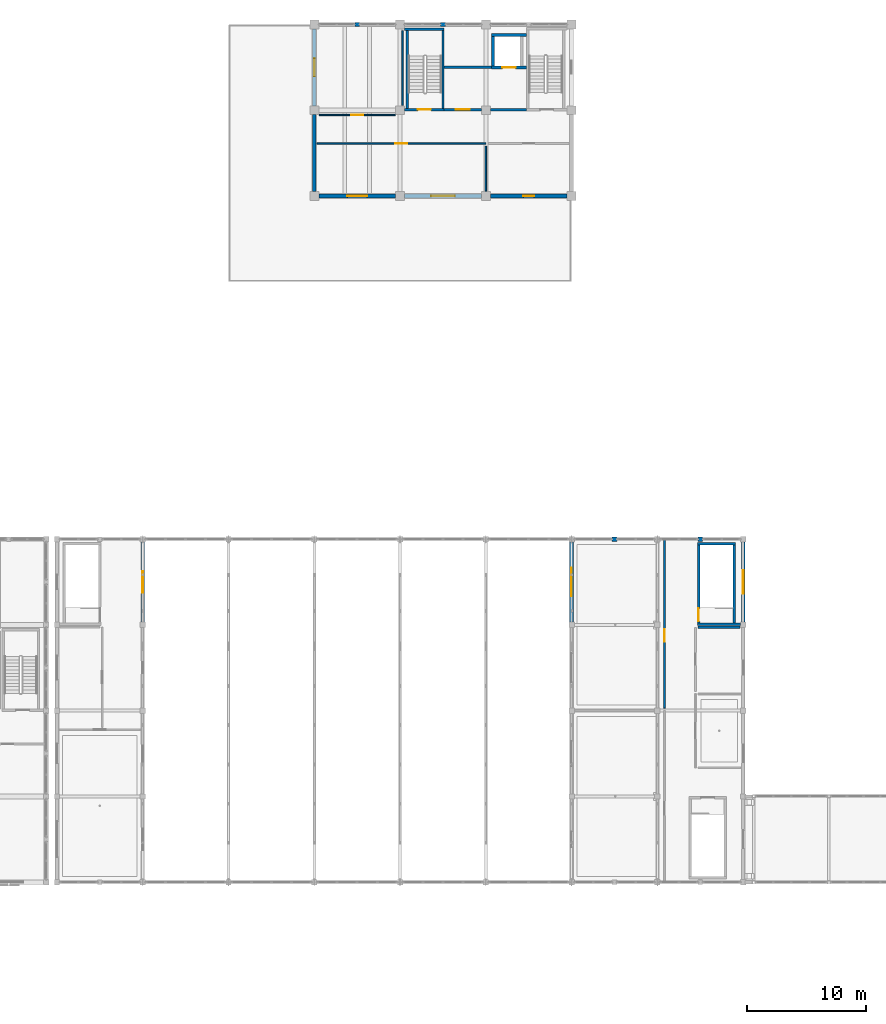
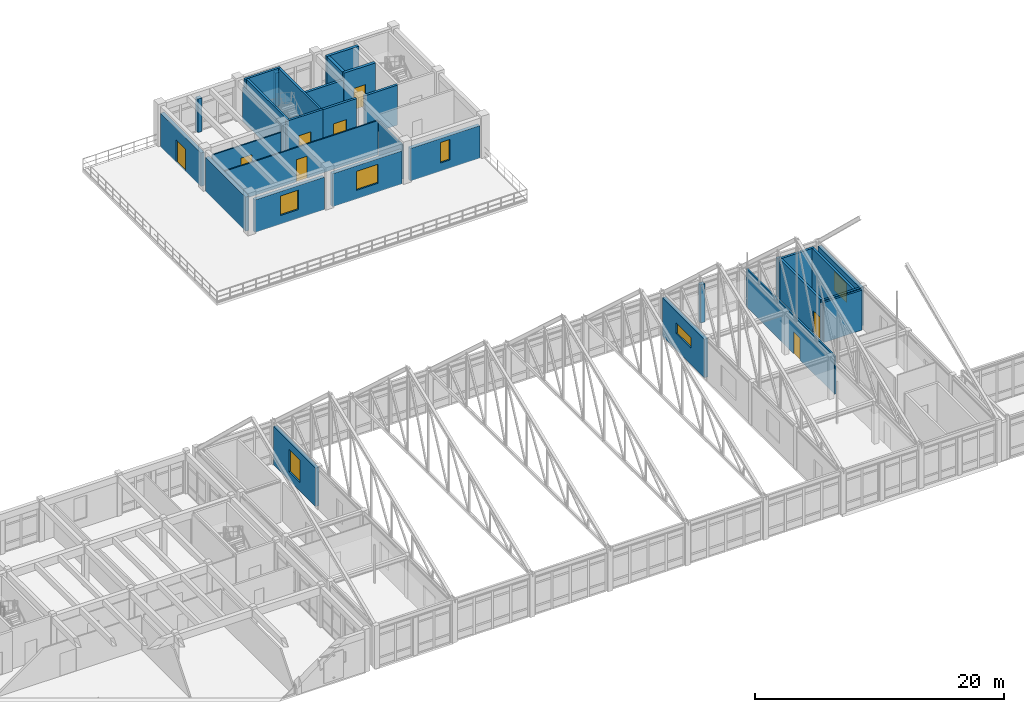
# One storey, part 115 of 136: 32 walls, 8 doors, 6 windows, 14 openings.
"""IFC4 building model written with IfcOpenShell, lengths in metres."""

from ifc_helpers import new_model, si_unit, direction, frame, frame_2d, origin, place, context, subcontext, project, spatial, rectangle, extrude, material, layer, layer_set, type_object, element, fill, save


model = new_model("IFC4")

# Units and contexts
model_context = context("Model", 3, precision=1e-05, world=origin(), true_north=direction((0.0, 1.0)))
body_context = subcontext(model_context, "Body", "Model", "MODEL_VIEW")
ifc_project = project(units=[si_unit("LENGTHUNIT", "METRE"), si_unit("AREAUNIT", "SQUARE_METRE"), si_unit("VOLUMEUNIT", "CUBIC_METRE"), si_unit("PLANEANGLEUNIT", "RADIAN"), si_unit("MASSUNIT", "GRAM", prefix="KILO")], contexts=[model_context])

# Site, building, storey
site_placement = place(None, origin())
site = spatial("IfcSite", under=ifc_project, at=site_placement, CompositionType="ELEMENT")
building_placement = place(site_placement, origin())
building = spatial("IfcBuilding", under=site, at=building_placement, Name="Koriwan Promenade Central Fire Station", CompositionType="ELEMENT")
storey_placement = place(building_placement, frame((0.0, 0.0, 5.39990234375)))
storey = spatial("IfcBuildingStorey", under=building, at=storey_placement, Name="L01", CompositionType="ELEMENT", Elevation=5.39990234375)

# Walls
ifc_material_1 = material(Name="Natural sillar sandstone ashlar", Category="masonry")
ifc_layer_1 = layer(ifc_material_1, 0.360107421875, Name="Natural sillar sandstone ashlar")
ifc_layer_set_1 = layer_set([ifc_layer_1], Name="Natural sillar sandstone ashlar")
wall_type_1 = type_object("IfcWallType", Name="ExtWall_SillarBase_360", PredefinedType="SOLIDWALL", material=ifc_layer_set_1)
for number, where, z_axis, x_axis, name in (
    (1, (104.199951171875, 72.0, 0.0), (0.0, 0.0, 1.0), (1.0, 0.0, 0.0), "V1 L01 sillar facade mullion pier 39"),
    (2, (111.39990234375, 72.0, 0.0), (0.0, 0.0, 1.0), (1.0, 0.0, 0.0), "V1 L01 sillar facade mullion pier 40"),
):
    element("IfcWall", number, at=place(storey_placement, frame(where, z_axis=z_axis, x_axis=x_axis)), inside=storey, type_object=wall_type_1, Name=name, PredefinedType="SOLIDWALL", context=body_context, shape_type="SweptSolid", body=[
        extrude(rectangle(XDim=0.400146484375, YDim=0.360107421875, at=frame_2d((0.2001953125, 0.0))), origin(), (0.0, 0.0, 1.0), 3.72119140625),
    ])
for number, where, z_axis, x_axis, name in (
    (3, (90.199951171875, 115.199951171875, 0.0), (0.0, 0.0, 1.0), (-1.0, 0.0, 0.0), "V2 L01 sillar facade mullion pier 64"),
    (4, (83.0, 115.199951171875, 0.0), (0.0, 0.0, 1.0), (-1.0, 0.0, 0.0), "V2 L01 sillar facade mullion pier 65"),
):
    element("IfcWall", number, at=place(storey_placement, frame(where, z_axis=z_axis, x_axis=x_axis)), inside=storey, type_object=wall_type_1, Name=name, PredefinedType="SOLIDWALL", context=body_context, shape_type="SweptSolid", body=[
        extrude(rectangle(XDim=0.39990234375, YDim=0.360107421875, at=frame_2d((0.199951171875, 0.0))), origin(), (0.0, 0.0, 1.0), 3.2900390625),
    ])

# Wall, opening, window
ifc_material_2 = material(Name="Precast concrete C40/50", Category="concrete")
ifc_layer_2 = layer(ifc_material_2, 0.320068359375, Name="Precast concrete C40/50")
ifc_layer_set_2 = layer_set([ifc_layer_2], Name="Precast concrete C40/50")
wall_type_2 = type_object("IfcWallType", Name="ExtWall_Terracotta_320", PredefinedType="ELEMENTEDWALL", material=ifc_layer_set_2)
wall_1_placement = place(storey_placement, frame((64.800048828125, 71.77490234375, 0.0), z_axis=(0.0, 0.0, 1.0), x_axis=(0.0, -1.0, 0.0)))
wall_1 = element("IfcWall", 5, at=wall_1_placement, inside=storey, type_object=wall_type_2, Name="V1 L01 exterior wall 30", PredefinedType="ELEMENTEDWALL", context=body_context, shape_type="SweptSolid", body=[
    extrude(rectangle(XDim=6.75, YDim=0.320068359375, at=frame_2d((3.375, 0.0))), origin(), (0.0, 0.0, 1.0), 3.773193359375),
])
opening_1_placement = place(wall_1_placement, frame((2.47509765625, 0.0, 0.85009765625)))
opening_1 = element("IfcOpeningElement", 6, at=opening_1_placement, cuts=wall_1, Name="Opening W-03", PredefinedType="OPENING", context=body_context, shape_type="SweptSolid", body=[
    extrude(rectangle(XDim=1.800048828125, YDim=2.199951171875, at=frame_2d((0.89990234375, 1.10009765625))), frame((0.0, 0.171875, 0.0), z_axis=(0.0, -1.0, 0.0), x_axis=(1.0, 0.0, 0.0)), (0.0, 0.0, 1.0), 0.343994140625),
])
ifc_material_3 = material(Name="Solar-control low-E laminated double glazing", Category="glass")
window_type_1 = type_object("IfcWindowType", Name="Win_Jharokha_1800x2200", PartitioningType="SINGLE_PANEL", PredefinedType="WINDOW", material=ifc_material_3)
window_1_placement = place(opening_1_placement, origin())
window_1 = element("IfcWindow", 7, at=window_1_placement, inside=storey, type_object=window_type_1, Name="V1 L01 window 0011", OverallHeight=2.199951171875, OverallWidth=1.800048828125, PartitioningType="SINGLE_PANEL", PredefinedType="WINDOW", context=body_context, shape_type="SweptSolid", body=[
    extrude(rectangle(XDim=1.800048828125, YDim=2.199951171875, at=frame_2d((0.89990234375, 1.10009765625))), frame((0.0, 0.030029296875, 0.0), z_axis=(0.0, -1.0, 0.0), x_axis=(1.0, 0.0, 0.0)), (0.0, 0.0, 1.0), 0.06005859375),
])
fill(opening_1, window_1)

wall_2_placement = place(storey_placement, frame((100.800048828125, 65.02490234375, 0.0), z_axis=(0.0, 0.0, 1.0), x_axis=(0.0, 1.0, 0.0)))
wall_2 = element("IfcWall", 8, at=wall_2_placement, inside=storey, type_object=wall_type_2, Name="V1 L01 exterior wall 38", PredefinedType="ELEMENTEDWALL", context=body_context, shape_type="SweptSolid", body=[
    extrude(rectangle(XDim=6.75, YDim=0.320068359375, at=frame_2d((3.375, 0.0))), origin(), (0.0, 0.0, 1.0), 3.773193359375),
])
opening_2_placement = place(wall_2_placement, frame((2.175048828125, 0.0, 1.60009765625)))
opening_2 = element("IfcOpeningElement", 9, at=opening_2_placement, cuts=wall_2, Name="Opening W-13", PredefinedType="OPENING", context=body_context, shape_type="SweptSolid", body=[
    extrude(rectangle(XDim=2.39990234375, YDim=1.050048828125, at=frame_2d((1.199951171875, 0.52490234375))), frame((0.0, 0.171875, 0.0), z_axis=(0.0, -1.0, 0.0), x_axis=(1.0, 0.0, 0.0)), (0.0, 0.0, 1.0), 0.343994140625),
])
window_type_2 = type_object("IfcWindowType", Name="Win_HighRibbon_2400x1050", PartitioningType="SINGLE_PANEL", PredefinedType="WINDOW", material=ifc_material_3)
window_2_placement = place(opening_2_placement, origin())
window_2 = element("IfcWindow", 10, at=window_2_placement, inside=storey, type_object=window_type_2, Name="V1 L01 window 0018", OverallHeight=1.050048828125, OverallWidth=2.39990234375, PartitioningType="SINGLE_PANEL", PredefinedType="WINDOW", context=body_context, shape_type="SweptSolid", body=[
    extrude(rectangle(XDim=2.39990234375, YDim=1.050048828125, at=frame_2d((1.199951171875, 0.52490234375))), frame((0.0, 0.030029296875, 0.0), z_axis=(0.0, -1.0, 0.0), x_axis=(1.0, 0.0, 0.0)), (0.0, 0.0, 1.0), 0.06005859375),
])
fill(opening_2, window_2)

wall_3_placement = place(storey_placement, frame((115.199951171875, 71.77490234375, 0.0), z_axis=(0.0, 0.0, 1.0), x_axis=(0.0, -1.0, 0.0)))
wall_3 = element("IfcWall", 11, at=wall_3_placement, inside=storey, type_object=wall_type_2, Name="V1 L01 exterior wall 41", PredefinedType="ELEMENTEDWALL", context=body_context, shape_type="SweptSolid", body=[
    extrude(rectangle(XDim=6.75, YDim=0.320068359375, at=frame_2d((3.375, 0.0))), origin(), (0.0, 0.0, 1.0), 3.773193359375),
])
opening_3_placement = place(wall_3_placement, frame((2.375, 0.0, 0.85009765625)))
opening_3 = element("IfcOpeningElement", 12, at=opening_3_placement, cuts=wall_3, Name="Opening W-16", PredefinedType="OPENING", context=body_context, shape_type="SweptSolid", body=[
    extrude(rectangle(XDim=2.0, YDim=1.85009765625, at=frame_2d((1.0, 0.925048828125))), frame((0.0, 0.171875, 0.0), z_axis=(0.0, -1.0, 0.0), x_axis=(1.0, 0.0, 0.0)), (0.0, 0.0, 1.0), 0.343994140625),
])
window_type_3 = type_object("IfcWindowType", Name="Win_Studio_2000x1850", PartitioningType="SINGLE_PANEL", PredefinedType="WINDOW", material=ifc_material_3)
window_3_placement = place(opening_3_placement, origin())
window_3 = element("IfcWindow", 13, at=window_3_placement, inside=storey, type_object=window_type_3, Name="V1 L01 window 0019", OverallHeight=1.85009765625, OverallWidth=2.0, PartitioningType="SINGLE_PANEL", PredefinedType="WINDOW", context=body_context, shape_type="SweptSolid", body=[
    extrude(rectangle(XDim=2.0, YDim=1.85009765625, at=frame_2d((1.0, 0.925048828125))), frame((0.0, 0.030029296875, 0.0), z_axis=(0.0, -1.0, 0.0), x_axis=(1.0, 0.0, 0.0)), (0.0, 0.0, 1.0), 0.06005859375),
])
fill(opening_3, window_3)

# Wall, opening, door
wall_4_placement = place(storey_placement, frame((79.199951171875, 114.824951171875, 0.0), z_axis=(0.0, 0.0, 1.0), x_axis=(0.0, -1.0, 0.0)))
wall_4 = element("IfcWall", 14, at=wall_4_placement, inside=storey, type_object=wall_type_2, Name="V2 L01 exterior wall 66", PredefinedType="ELEMENTEDWALL", context=body_context, shape_type="SweptSolid", body=[
    extrude(rectangle(XDim=6.449951171875, YDim=0.320068359375, at=frame_2d((3.22509765625, 0.0))), origin(), (0.0, 0.0, 1.0), 3.2900390625),
])
opening_4_placement = place(wall_4_placement, frame((2.47509765625, 0.0, 0.0)))
opening_4 = element("IfcOpeningElement", 15, at=opening_4_placement, cuts=wall_4, Name="Opening TD-017", PredefinedType="OPENING", context=body_context, shape_type="SweptSolid", body=[
    extrude(rectangle(XDim=1.5, YDim=2.199951171875, at=frame_2d((0.75, 1.10009765625))), frame((0.0, 0.171875, 0.0), z_axis=(0.0, -1.0, 0.0), x_axis=(1.0, 0.0, 0.0)), (0.0, 0.0, 1.0), 0.343994140625),
])
ifc_material_4 = material(Name="Aluminium EN AW-6063-T6 and laminated safety glass", Category="aluminium")
door_type_1 = type_object("IfcDoorType", Name="TerraceDoor_1500x2200", OperationType="DOUBLE_SWING_LEFT", PredefinedType="DOOR", material=ifc_material_4)
door_1_placement = place(opening_4_placement, frame((1.5, 0.0, 0.0), z_axis=(0.0, 0.0, 1.0), x_axis=(-1.0, 0.0, 0.0)))
door_1 = element("IfcDoor", 16, at=door_1_placement, inside=storey, type_object=door_type_1, Name="V2 L01 Terrace Access Door TD-017", OperationType="DOUBLE_SWING_LEFT", OverallHeight=2.199951171875, OverallWidth=1.5, PredefinedType="DOOR", context=body_context, shape_type="SweptSolid", body=[
    extrude(rectangle(XDim=1.5, YDim=2.199951171875, at=frame_2d((0.75, 1.10009765625))), frame((0.0, 0.02490234375, 0.0), z_axis=(0.0, -1.0, 0.0), x_axis=(1.0, 0.0, 0.0)), (0.0, 0.0, 1.0), 0.050048828125),
])
fill(opening_4, door_1)

# Wall
wall_5_placement = place(storey_placement, frame((79.199951171875, 107.625, 0.0), z_axis=(0.0, 0.0, 1.0), x_axis=(0.0, -1.0, 0.0)))
element("IfcWall", 17, at=wall_5_placement, inside=storey, type_object=wall_type_2, Name="V2 L01 exterior wall 67", PredefinedType="ELEMENTEDWALL", context=body_context, shape_type="SweptSolid", body=[
    extrude(rectangle(XDim=6.449951171875, YDim=0.320068359375, at=frame_2d((3.22509765625, 0.0))), origin(), (0.0, 0.0, 1.0), 3.340087890625),
])

# Wall, opening, window
wall_6_placement = place(storey_placement, frame((79.574951171875, 100.800048828125, 0.0), z_axis=(0.0, 0.0, 1.0), x_axis=(1.0, 0.0, 0.0)))
wall_6 = element("IfcWall", 18, at=wall_6_placement, inside=storey, type_object=wall_type_2, Name="V2 L01 exterior wall 68", PredefinedType="ELEMENTEDWALL", context=body_context, shape_type="SweptSolid", body=[
    extrude(rectangle(XDim=6.449951171875, YDim=0.320068359375, at=frame_2d((3.22509765625, 0.0))), origin(), (0.0, 0.0, 1.0), 3.190185546875),
])
opening_5_placement = place(wall_6_placement, frame((2.39990234375, 0.0, 0.85009765625)))
opening_5 = element("IfcOpeningElement", 19, at=opening_5_placement, cuts=wall_6, Name="Opening W-15", PredefinedType="OPENING", context=body_context, shape_type="SweptSolid", body=[
    extrude(rectangle(XDim=1.64990234375, YDim=1.89990234375, at=frame_2d((0.824951171875, 0.949951171875))), frame((0.0, 0.171875, 0.0), z_axis=(0.0, -1.0, 0.0), x_axis=(1.0, 0.0, 0.0)), (0.0, 0.0, 1.0), 0.343994140625),
])
window_type_4 = type_object("IfcWindowType", Name="Win_Office_1650x1900", PartitioningType="SINGLE_PANEL", PredefinedType="WINDOW", material=ifc_material_3)
window_4_placement = place(opening_5_placement, origin())
window_4 = element("IfcWindow", 20, at=window_4_placement, inside=storey, type_object=window_type_4, Name="V2 L01 window 0030", OverallHeight=1.89990234375, OverallWidth=1.64990234375, PartitioningType="SINGLE_PANEL", PredefinedType="WINDOW", context=body_context, shape_type="SweptSolid", body=[
    extrude(rectangle(XDim=1.64990234375, YDim=1.89990234375, at=frame_2d((0.824951171875, 0.949951171875))), frame((0.0, 0.030029296875, 0.0), z_axis=(0.0, -1.0, 0.0), x_axis=(1.0, 0.0, 0.0)), (0.0, 0.0, 1.0), 0.06005859375),
])
fill(opening_5, window_4)

wall_7_placement = place(storey_placement, frame((86.77490234375, 100.800048828125, 0.0), z_axis=(0.0, 0.0, 1.0), x_axis=(1.0, 0.0, 0.0)))
wall_7 = element("IfcWall", 21, at=wall_7_placement, inside=storey, type_object=wall_type_2, Name="V2 L01 exterior wall 69", PredefinedType="ELEMENTEDWALL", context=body_context, shape_type="SweptSolid", body=[
    extrude(rectangle(XDim=6.4501953125, YDim=0.320068359375, at=frame_2d((3.22509765625, 0.0))), origin(), (0.0, 0.0, 1.0), 3.239990234375),
])
opening_6_placement = place(wall_7_placement, frame((2.22509765625, 0.0, 0.85009765625)))
opening_6 = element("IfcOpeningElement", 22, at=opening_6_placement, cuts=wall_7, Name="Opening W-16", PredefinedType="OPENING", context=body_context, shape_type="SweptSolid", body=[
    extrude(rectangle(XDim=2.0, YDim=1.85009765625, at=frame_2d((1.0, 0.925048828125))), frame((0.0, 0.171875, 0.0), z_axis=(0.0, -1.0, 0.0), x_axis=(1.0, 0.0, 0.0)), (0.0, 0.0, 1.0), 0.343994140625),
])
window_5_placement = place(opening_6_placement, origin())
window_5 = element("IfcWindow", 23, at=window_5_placement, inside=storey, type_object=window_type_3, Name="V2 L01 window 0031", OverallHeight=1.85009765625, OverallWidth=2.0, PartitioningType="SINGLE_PANEL", PredefinedType="WINDOW", context=body_context, shape_type="SweptSolid", body=[
    extrude(rectangle(XDim=2.0, YDim=1.85009765625, at=frame_2d((1.0, 0.925048828125))), frame((0.0, 0.030029296875, 0.0), z_axis=(0.0, -1.0, 0.0), x_axis=(1.0, 0.0, 0.0)), (0.0, 0.0, 1.0), 0.06005859375),
])
fill(opening_6, window_5)

wall_8_placement = place(storey_placement, frame((93.97509765625, 100.800048828125, 0.0), z_axis=(0.0, 0.0, 1.0), x_axis=(1.0, 0.0, 0.0)))
wall_8 = element("IfcWall", 24, at=wall_8_placement, inside=storey, type_object=wall_type_2, Name="V2 L01 exterior wall 70", PredefinedType="ELEMENTEDWALL", context=body_context, shape_type="SweptSolid", body=[
    extrude(rectangle(XDim=6.449951171875, YDim=0.320068359375, at=frame_2d((3.22509765625, 0.0))), origin(), (0.0, 0.0, 1.0), 3.190185546875),
])
opening_7_placement = place(wall_8_placement, frame((2.77490234375, 0.0, 0.800048828125)))
opening_7 = element("IfcOpeningElement", 25, at=opening_7_placement, cuts=wall_8, Name="Opening W-04", PredefinedType="OPENING", context=body_context, shape_type="SweptSolid", body=[
    extrude(rectangle(XDim=0.89990234375, YDim=2.0, at=frame_2d((0.449951171875, 1.0))), frame((0.0, 0.171875, 0.0), z_axis=(0.0, -1.0, 0.0), x_axis=(1.0, 0.0, 0.0)), (0.0, 0.0, 1.0), 0.343994140625),
])
window_type_5 = type_object("IfcWindowType", Name="Win_HQ_900x2000", PartitioningType="SINGLE_PANEL", PredefinedType="WINDOW", material=ifc_material_3)
window_6_placement = place(opening_7_placement, origin())
window_6 = element("IfcWindow", 26, at=window_6_placement, inside=storey, type_object=window_type_5, Name="V2 L01 window 0032", OverallHeight=2.0, OverallWidth=0.89990234375, PartitioningType="SINGLE_PANEL", PredefinedType="WINDOW", context=body_context, shape_type="SweptSolid", body=[
    extrude(rectangle(XDim=0.89990234375, YDim=2.0, at=frame_2d((0.449951171875, 1.0))), frame((0.0, 0.030029296875, 0.0), z_axis=(0.0, -1.0, 0.0), x_axis=(1.0, 0.0, 0.0)), (0.0, 0.0, 1.0), 0.06005859375),
])
fill(opening_7, window_6)

# Wall, opening, door
ifc_material_5 = material(Name="Gypsum board acoustic stud partition", Category="gypsum")
ifc_layer_3 = layer(ifc_material_5, 0.1201171875, Name="Gypsum board acoustic stud partition")
ifc_layer_set_3 = layer_set([ifc_layer_3], Name="Gypsum board acoustic stud partition")
wall_type_3 = type_object("IfcWallType", Name="IntWall_Drywall_120", PredefinedType="PARTITIONING", material=ifc_layer_set_3)
wall_9_placement = place(storey_placement, frame((79.614990234375, 107.60009765625, 0.0), z_axis=(0.0, 0.0, 1.0), x_axis=(1.0, 0.0, 0.0)))
wall_9 = element("IfcWall", 27, at=wall_9_placement, inside=storey, type_object=wall_type_3, Name="Hose Drying and Inspection Room partition S", PredefinedType="PARTITIONING", context=body_context, shape_type="SweptSolid", body=[
    extrude(rectangle(XDim=6.3701171875, YDim=0.1201171875, at=frame_2d((3.18505859375, 0.0))), origin(), (0.0, 0.0, 1.0), 3.38818359375),
])
opening_8_placement = place(wall_9_placement, frame((2.68505859375, 0.0, 0.0)))
opening_8 = element("IfcOpeningElement", 28, at=opening_8_placement, cuts=wall_9, Name="Opening D-129", PredefinedType="OPENING", context=body_context, shape_type="SweptSolid", body=[
    extrude(rectangle(XDim=1.0, YDim=2.14990234375, at=frame_2d((0.5, 1.074951171875))), frame((0.0, 0.072021484375, 0.0), z_axis=(0.0, -1.0, 0.0), x_axis=(1.0, 0.0, 0.0)), (0.0, 0.0, 1.0), 0.14404296875),
])
ifc_material_6 = material(Name="Hardwood veneer solid-core timber", Category="wood")
door_type_2 = type_object("IfcDoorType", Name="RoomDoor_Office_1000x2150", OperationType="NOTDEFINED", PredefinedType="DOOR", material=ifc_material_6)
door_2_placement = place(opening_8_placement, origin())
door_2 = element("IfcDoor", 29, at=door_2_placement, inside=storey, type_object=door_type_2, Name="Hose Drying and Inspection Room Door D-129", OperationType="SINGLE_SWING_LEFT", OverallHeight=2.14990234375, OverallWidth=1.0, PredefinedType="DOOR", context=body_context, shape_type="SweptSolid", body=[
    extrude(rectangle(XDim=1.0, YDim=2.14990234375, at=frame_2d((0.5, 1.074951171875))), frame((0.0, 0.02490234375, 0.0), z_axis=(0.0, -1.0, 0.0), x_axis=(1.0, 0.0, 0.0)), (0.0, 0.0, 1.0), 0.050048828125),
])
fill(opening_8, door_2)

# Wall
wall_10_placement = place(storey_placement, frame((86.60009765625, 108.4150390625, 0.0), z_axis=(0.0, 0.0, 1.0), x_axis=(0.0, 1.0, 0.0)))
element("IfcWall", 30, at=wall_10_placement, inside=storey, type_object=wall_type_3, Name="Hose Drying and Inspection Room partition E", PredefinedType="PARTITIONING", context=body_context, shape_type="SweptSolid", body=[
    extrude(rectangle(XDim=6.261962890625, YDim=0.1201171875, at=frame_2d((3.130859375, 0.0))), origin(), (0.0, 0.0, 1.0), 3.2880859375),
])

# Wall, opening, door
wall_11_placement = place(storey_placement, frame((79.419921875, 105.199951171875, 0.0), z_axis=(0.0, 0.0, 1.0), x_axis=(1.0, 0.0, 0.0)))
wall_11 = element("IfcWall", 31, at=wall_11_placement, inside=storey, type_object=wall_type_3, Name="Tactical Ladder Entry Drill Room partition N", PredefinedType="PARTITIONING", context=body_context, shape_type="SweptSolid", body=[
    extrude(rectangle(XDim=14.18017578125, YDim=0.1201171875, at=frame_2d((7.090087890625, 0.0))), origin(), (0.0, 0.0, 1.0), 3.338134765625),
])
opening_9_placement = place(wall_11_placement, frame((6.590087890625, 0.0, 0.0)))
opening_9 = element("IfcOpeningElement", 32, at=opening_9_placement, cuts=wall_11, Name="Opening D-130", PredefinedType="OPENING", context=body_context, shape_type="SweptSolid", body=[
    extrude(rectangle(XDim=1.0, YDim=2.14990234375, at=frame_2d((0.5, 1.074951171875))), frame((0.0, 0.072021484375, 0.0), z_axis=(0.0, -1.0, 0.0), x_axis=(1.0, 0.0, 0.0)), (0.0, 0.0, 1.0), 0.14404296875),
])
door_3_placement = place(opening_9_placement, origin())
door_3 = element("IfcDoor", 33, at=door_3_placement, inside=storey, type_object=door_type_2, Name="Tactical Ladder Entry Drill Room Door D-130", OperationType="SINGLE_SWING_RIGHT", OverallHeight=2.14990234375, OverallWidth=1.0, PredefinedType="DOOR", context=body_context, shape_type="SweptSolid", body=[
    extrude(rectangle(XDim=1.0, YDim=2.14990234375, at=frame_2d((0.5, 1.074951171875))), frame((0.0, 0.02490234375, 0.0), z_axis=(0.0, -1.0, 0.0), x_axis=(1.0, 0.0, 0.0)), (0.0, 0.0, 1.0), 0.050048828125),
])
fill(opening_9, door_3)

# Wall
wall_12_placement = place(storey_placement, frame((93.60009765625, 101.215087890625, 0.0), z_axis=(0.0, 0.0, 1.0), x_axis=(0.0, 1.0, 0.0)))
element("IfcWall", 34, at=wall_12_placement, inside=storey, type_object=wall_type_3, Name="Tactical Ladder Entry Drill Room partition E", PredefinedType="PARTITIONING", context=body_context, shape_type="SweptSolid", body=[
    extrude(rectangle(XDim=3.764892578125, YDim=0.1201171875, at=frame_2d((1.88232421875, 0.0))), origin(), (0.0, 0.0, 1.0), 3.338134765625),
])

# Wall, opening, door
ifc_material_7 = material(Name="Clay brick plastered masonry wall", Category="masonry")
ifc_layer_4 = layer(ifc_material_7, 0.14990234375, Name="Clay brick plastered masonry wall")
ifc_layer_set_4 = layer_set([ifc_layer_4], Name="Clay brick plastered masonry wall")
wall_type_4 = type_object("IfcWallType", Name="IntWall_Masonry_150", PredefinedType="STANDARD", material=ifc_layer_set_4)
wall_13_placement = place(storey_placement, frame((108.60009765625, 57.820068359375, 0.0), z_axis=(0.0, 0.0, 1.0), x_axis=(0.0, 1.0, 0.0)))
wall_13 = element("IfcWall", 35, at=wall_13_placement, inside=storey, type_object=wall_type_4, Name="Hazmat Telemetry Classroom partition E", PredefinedType="STANDARD", context=body_context, shape_type="SweptSolid", body=[
    extrude(rectangle(XDim=14.179931640625, YDim=0.14990234375, at=frame_2d((7.08984375, 0.0))), origin(), (0.0, 0.0, 1.0), 3.718994140625),
])
opening_10_placement = place(wall_13_placement, frame((5.56494140625, 0.0, 0.0)))
opening_10 = element("IfcOpeningElement", 36, at=opening_10_placement, cuts=wall_13, Name="Opening D-082", PredefinedType="OPENING", context=body_context, shape_type="SweptSolid", body=[
    extrude(rectangle(XDim=1.050048828125, YDim=2.14990234375, at=frame_2d((0.52490234375, 1.074951171875))), frame((0.0, 0.0869140625, 0.0), z_axis=(0.0, -1.0, 0.0), x_axis=(1.0, 0.0, 0.0)), (0.0, 0.0, 1.0), 0.173828125),
])
door_type_3 = type_object("IfcDoorType", Name="RoomDoor_Class_1050x2150", OperationType="NOTDEFINED", PredefinedType="DOOR", material=ifc_material_6)
door_4_placement = place(opening_10_placement, origin())
door_4 = element("IfcDoor", 37, at=door_4_placement, inside=storey, type_object=door_type_3, Name="Hazmat Telemetry Classroom Door D-082", OperationType="SINGLE_SWING_RIGHT", OverallHeight=2.14990234375, OverallWidth=1.050048828125, PredefinedType="DOOR", context=body_context, shape_type="SweptSolid", body=[
    extrude(rectangle(XDim=1.050048828125, YDim=2.14990234375, at=frame_2d((0.52490234375, 1.074951171875))), frame((0.0, 0.02490234375, 0.0), z_axis=(0.0, -1.0, 0.0), x_axis=(1.0, 0.0, 0.0)), (0.0, 0.0, 1.0), 0.050048828125),
])
fill(opening_10, door_4)

ifc_material_8 = material(Name="Concrete C35/45 compartment wall", Category="concrete")
ifc_layer_5 = layer(ifc_material_8, 0.219970703125, Name="Concrete C35/45 compartment wall")
ifc_layer_set_5 = layer_set([ifc_layer_5], Name="Concrete C35/45 compartment wall")
wall_type_5 = type_object("IfcWallType", Name="IntWall_Plant_220", PredefinedType="STANDARD", material=ifc_layer_set_5)
wall_14_placement = place(storey_placement, frame((90.10205078125, 108.050048828125, 0.0), z_axis=(0.0, 0.0, 1.0), x_axis=(1.0, 0.0, 0.0)))
wall_14 = element("IfcWall", 38, at=wall_14_placement, inside=storey, type_object=wall_type_5, Name="Drill Tower Firefighting Lift Lobby L01 partition S", PredefinedType="STANDARD", context=body_context, shape_type="SweptSolid", body=[
    extrude(rectangle(XDim=3.120849609375, YDim=0.219970703125, at=frame_2d((1.560546875, 0.0))), origin(), (0.0, 0.0, 1.0), 3.920166015625),
])
opening_11_placement = place(wall_14_placement, frame((0.96044921875, 0.0, 0.0)))
opening_11 = element("IfcOpeningElement", 39, at=opening_11_placement, cuts=wall_14, Name="Opening D-128", PredefinedType="OPENING", context=body_context, shape_type="SweptSolid", body=[
    extrude(rectangle(XDim=1.199951171875, YDim=2.199951171875, at=frame_2d((0.60009765625, 1.10009765625))), frame((0.0, 0.1220703125, 0.0), z_axis=(0.0, -1.0, 0.0), x_axis=(1.0, 0.0, 0.0)), (0.0, 0.0, 1.0), 0.243896484375),
])
ifc_material_9 = material(Name="Painted galvanized fire-door steel", Category="steel")
door_type_4 = type_object("IfcDoorType", Name="FireDoor_Lobby_1200x2200", OperationType="NOTDEFINED", PredefinedType="DOOR", material=ifc_material_9)
door_5_placement = place(opening_11_placement, origin())
door_5 = element("IfcDoor", 40, at=door_5_placement, inside=storey, type_object=door_type_4, Name="Drill Tower Firefighting Lift Lobby L01 Door D-128", OperationType="SINGLE_SWING_RIGHT", OverallHeight=2.199951171875, OverallWidth=1.199951171875, PredefinedType="DOOR", context=body_context, shape_type="SweptSolid", body=[
    extrude(rectangle(XDim=1.199951171875, YDim=2.199951171875, at=frame_2d((0.60009765625, 1.10009765625))), frame((0.0, 0.02490234375, 0.0), z_axis=(0.0, -1.0, 0.0), x_axis=(1.0, 0.0, 0.0)), (0.0, 0.0, 1.0), 0.050048828125),
])
fill(opening_11, door_5)

# Walls
wall_15_placement = place(storey_placement, frame((93.97705078125, 108.050048828125, 0.0), z_axis=(0.0, 0.0, 1.0), x_axis=(1.0, 0.0, 0.0)))
element("IfcWall", 41, at=wall_15_placement, inside=storey, type_object=wall_type_5, Name="Drill Tower Firefighting Lift Lobby L01 partition S", PredefinedType="STANDARD", context=body_context, shape_type="SweptSolid", body=[
    extrude(rectangle(XDim=3.041015625, YDim=0.219970703125, at=frame_2d((1.5205078125, 0.0))), origin(), (0.0, 0.0, 1.0), 3.920166015625),
])
wall_16_placement = place(storey_placement, frame((90.10205078125, 111.60009765625, 0.0), z_axis=(0.0, 0.0, 1.0), x_axis=(1.0, 0.0, 0.0)))
element("IfcWall", 42, at=wall_16_placement, inside=storey, type_object=wall_type_5, Name="Drill Tower Firefighting Lift Lobby L01 partition N", PredefinedType="STANDARD", context=body_context, shape_type="SweptSolid", body=[
    extrude(rectangle(XDim=3.970947265625, YDim=0.219970703125, at=frame_2d((1.9853515625, 0.0))), origin(), (0.0, 0.0, 1.0), 3.2880859375),
])
ifc_material_10 = material(Name="Moisture-resistant sanitary chase wall", Category="gypsum")
ifc_layer_6 = layer(ifc_material_10, 0.179931640625, Name="Moisture-resistant sanitary chase wall")
ifc_layer_set_6 = layer_set([ifc_layer_6], Name="Moisture-resistant sanitary chase wall")
wall_type_6 = type_object("IfcWallType", Name="IntWall_Plumbing_180", PredefinedType="PLUMBINGWALL", material=ifc_layer_set_6)
wall_17_placement = place(storey_placement, frame((111.419921875, 64.60009765625, 0.0), z_axis=(0.0, 0.0, 1.0), x_axis=(1.0, 0.0, 0.0)))
element("IfcWall", 43, at=wall_17_placement, inside=storey, type_object=wall_type_6, Name="Transfer Deck Accessible WC partition N", PredefinedType="PLUMBINGWALL", context=body_context, shape_type="SweptSolid", body=[
    extrude(rectangle(XDim=3.51513671875, YDim=0.179931640625, at=frame_2d((1.757568359375, 0.0))), origin(), (0.0, 0.0, 1.0), 3.920166015625),
])
ifc_material_11 = material(Name="Concrete C40/50", Category="concrete")
ifc_layer_7 = layer(ifc_material_11, 0.199951171875, Name="Concrete C40/50")
ifc_layer_set_7 = layer_set([ifc_layer_7], Name="Concrete C40/50")
wall_type_7 = type_object("IfcWallType", Name="ShearWall_200", PredefinedType="SHEAR", material=ifc_layer_set_7)
wall_18_placement = place(storey_placement, frame((111.360107421875, 64.85009765625, 0.0), z_axis=(0.0, 0.0, 1.0), x_axis=(1.0, 0.0, 0.0)))
element("IfcWall", 44, at=wall_18_placement, inside=storey, type_object=wall_type_7, Name="ST02 L01 structural stair wall S", PredefinedType="SHEAR", context=body_context, shape_type="SweptSolid", body=[
    extrude(rectangle(XDim=3.614990234375, YDim=0.199951171875, at=frame_2d((1.8076171875, 0.0))), origin(), (0.0, 0.0, 1.0), 3.9501953125),
])
wall_19_placement = place(storey_placement, frame((111.360107421875, 71.610107421875, 0.0), z_axis=(0.0, 0.0, 1.0), x_axis=(1.0, 0.0, 0.0)))
element("IfcWall", 45, at=wall_19_placement, inside=storey, type_object=wall_type_7, Name="ST02 L01 structural stair wall N", PredefinedType="SHEAR", context=body_context, shape_type="SweptSolid", body=[
    extrude(rectangle(XDim=3.18994140625, YDim=0.199951171875, at=frame_2d((1.594970703125, 0.0))), origin(), (0.0, 0.0, 1.0), 3.9501953125),
])

# Wall, opening, door
wall_20_placement = place(storey_placement, frame((111.4599609375, 64.949951171875, 0.0), z_axis=(0.0, 0.0, 1.0), x_axis=(0.0, 1.0, 0.0)))
wall_20 = element("IfcWall", 46, at=wall_20_placement, inside=storey, type_object=wall_type_7, Name="ST02 L01 structural stair wall W", PredefinedType="SHEAR", context=body_context, shape_type="SweptSolid", body=[
    extrude(rectangle(XDim=6.56005859375, YDim=0.199951171875, at=frame_2d((3.280029296875, 0.0))), origin(), (0.0, 0.0, 1.0), 3.9501953125),
])
opening_12_placement = place(wall_20_placement, frame((0.139892578125, 0.0, 0.0)))
opening_12 = element("IfcOpeningElement", 47, at=opening_12_placement, cuts=wall_20, Name="Opening SD-005", PredefinedType="OPENING", context=body_context, shape_type="SweptSolid", body=[
    extrude(rectangle(XDim=1.10009765625, YDim=2.14990234375, at=frame_2d((0.550048828125, 1.074951171875))), frame((0.0, 0.11181640625, 0.0), z_axis=(0.0, -1.0, 0.0), x_axis=(1.0, 0.0, 0.0)), (0.0, 0.0, 1.0), 0.223876953125),
])
door_type_5 = type_object("IfcDoorType", Name="FireDoor_Stair_1100x2150", OperationType="NOTDEFINED", PredefinedType="DOOR", material=ifc_material_9)
door_6_placement = place(opening_12_placement, frame((1.10009765625, 0.0, 0.0), z_axis=(0.0, 0.0, 1.0), x_axis=(-1.0, 0.0, 0.0)))
door_6 = element("IfcDoor", 48, at=door_6_placement, inside=storey, type_object=door_type_5, Name="Protected Stair ST02 Fire Door SD-005", OperationType="SINGLE_SWING_RIGHT", OverallHeight=2.14990234375, OverallWidth=1.10009765625, PredefinedType="DOOR", context=body_context, shape_type="SweptSolid", body=[
    extrude(rectangle(XDim=1.10009765625, YDim=2.14990234375, at=frame_2d((0.550048828125, 1.074951171875))), frame((0.0, 0.02490234375, 0.0), z_axis=(0.0, -1.0, 0.0), x_axis=(1.0, 0.0, 0.0)), (0.0, 0.0, 1.0), 0.050048828125),
])
fill(opening_12, door_6)

# Wall
wall_21_placement = place(storey_placement, frame((114.449951171875, 64.949951171875, 0.0), z_axis=(0.0, 0.0, 1.0), x_axis=(0.0, 1.0, 0.0)))
element("IfcWall", 49, at=wall_21_placement, inside=storey, type_object=wall_type_7, Name="ST02 L01 structural stair wall E", PredefinedType="SHEAR", context=body_context, shape_type="SweptSolid", body=[
    extrude(rectangle(XDim=6.56005859375, YDim=0.199951171875, at=frame_2d((3.280029296875, 0.0))), origin(), (0.0, 0.0, 1.0), 3.9501953125),
])

# Wall, opening, door
wall_22_placement = place(storey_placement, frame((86.77490234375, 108.050048828125, 0.0), z_axis=(0.0, 0.0, 1.0), x_axis=(1.0, 0.0, 0.0)))
wall_22 = element("IfcWall", 50, at=wall_22_placement, inside=storey, type_object=wall_type_7, Name="ST09 L01 structural stair wall S", PredefinedType="SHEAR", context=body_context, shape_type="SweptSolid", body=[
    extrude(rectangle(XDim=3.3251953125, YDim=0.199951171875, at=frame_2d((1.66259765625, 0.0))), origin(), (0.0, 0.0, 1.0), 3.9501953125),
])
opening_13_placement = place(wall_22_placement, frame((1.112548828125, 0.0, 0.0)))
opening_13 = element("IfcOpeningElement", 51, at=opening_13_placement, cuts=wall_22, Name="Opening SD-015", PredefinedType="OPENING", context=body_context, shape_type="SweptSolid", body=[
    extrude(rectangle(XDim=1.10009765625, YDim=2.14990234375, at=frame_2d((0.550048828125, 1.074951171875))), frame((0.0, 0.11181640625, 0.0), z_axis=(0.0, -1.0, 0.0), x_axis=(1.0, 0.0, 0.0)), (0.0, 0.0, 1.0), 0.223876953125),
])
door_7_placement = place(opening_13_placement, origin())
door_7 = element("IfcDoor", 52, at=door_7_placement, inside=storey, type_object=door_type_5, Name="Protected Stair ST09 Fire Door SD-015", OperationType="SINGLE_SWING_RIGHT", OverallHeight=2.14990234375, OverallWidth=1.10009765625, PredefinedType="DOOR", context=body_context, shape_type="SweptSolid", body=[
    extrude(rectangle(XDim=1.10009765625, YDim=2.14990234375, at=frame_2d((0.550048828125, 1.074951171875))), frame((0.0, 0.02490234375, 0.0), z_axis=(0.0, -1.0, 0.0), x_axis=(1.0, 0.0, 0.0)), (0.0, 0.0, 1.0), 0.050048828125),
])
fill(opening_13, door_7)

# Walls
wall_23_placement = place(storey_placement, frame((86.77490234375, 114.81005859375, 0.0), z_axis=(0.0, 0.0, 1.0), x_axis=(1.0, 0.0, 0.0)))
element("IfcWall", 53, at=wall_23_placement, inside=storey, type_object=wall_type_7, Name="ST09 L01 structural stair wall N", PredefinedType="SHEAR", context=body_context, shape_type="SweptSolid", body=[
    extrude(rectangle(XDim=3.3251953125, YDim=0.199951171875, at=frame_2d((1.66259765625, 0.0))), origin(), (0.0, 0.0, 1.0), 3.9501953125),
])
for number, where, z_axis, x_axis, name in (
    (54, (87.010009765625, 108.14990234375, 0.0), (0.0, 0.0, 1.0), (0.0, 1.0, 0.0), "ST09 L01 structural stair wall W"),
    (55, (90.0, 108.14990234375, 0.0), (0.0, 0.0, 1.0), (0.0, 1.0, 0.0), "ST09 L01 structural stair wall E"),
):
    element("IfcWall", number, at=place(storey_placement, frame(where, z_axis=z_axis, x_axis=x_axis)), inside=storey, type_object=wall_type_7, Name=name, PredefinedType="SHEAR", context=body_context, shape_type="SweptSolid", body=[
        extrude(rectangle(XDim=6.56005859375, YDim=0.199951171875, at=frame_2d((3.280029296875, 0.0))), origin(), (0.0, 0.0, 1.0), 3.9501953125),
    ])

# Wall, opening, door
ifc_layer_8 = layer(ifc_material_11, 0.25, Name="Concrete C40/50")
ifc_layer_set_8 = layer_set([ifc_layer_8], Name="Concrete C40/50")
wall_type_8 = type_object("IfcWallType", Name="ShearWall_250", PredefinedType="SHEAR", material=ifc_layer_set_8)
wall_24_placement = place(storey_placement, frame((94.074951171875, 111.60009765625, 0.0), z_axis=(0.0, 0.0, 1.0), x_axis=(1.0, 0.0, 0.0)))
wall_24 = element("IfcWall", 56, at=wall_24_placement, inside=storey, type_object=wall_type_8, Name="LF02 shaft wall S (L01)", PredefinedType="SHEAR", context=body_context, shape_type="SweptSolid", body=[
    extrude(rectangle(XDim=2.945068359375, YDim=0.25, at=frame_2d((1.47265625, 0.0))), origin(), (0.0, 0.0, 1.0), 3.9501953125),
])
opening_14_placement = place(wall_24_placement, frame((0.922607421875, 0.0, 0.0)))
opening_14 = element("IfcOpeningElement", 57, at=opening_14_placement, cuts=wall_24, Name="Opening LD-LF02-L01", PredefinedType="OPENING", context=body_context, shape_type="SweptSolid", body=[
    extrude(rectangle(XDim=1.10009765625, YDim=2.14990234375, at=frame_2d((0.550048828125, 1.074951171875))), frame((0.0, 0.136962890625, 0.0), z_axis=(0.0, -1.0, 0.0), x_axis=(1.0, 0.0, 0.0)), (0.0, 0.0, 1.0), 0.27392578125),
])
ifc_material_12 = material(Name="Stainless steel 316", Category="steel")
door_type_6 = type_object("IfcDoorType", Name="LiftDoor_Fire_1100x2150", OperationType="SLIDING_TO_LEFT", PredefinedType="DOOR", material=ifc_material_12)
door_8_placement = place(opening_14_placement, origin())
door_8 = element("IfcDoor", 58, at=door_8_placement, inside=storey, type_object=door_type_6, Name="Lift LF02 Sliding Landing Door LD-LF02-L01", OperationType="SLIDING_TO_LEFT", OverallHeight=2.14990234375, OverallWidth=1.10009765625, PredefinedType="DOOR", context=body_context, shape_type="SweptSolid", body=[
    extrude(rectangle(XDim=1.10009765625, YDim=2.14990234375, at=frame_2d((0.550048828125, 1.074951171875))), frame((0.0, 0.02490234375, 0.0), z_axis=(0.0, -1.0, 0.0), x_axis=(1.0, 0.0, 0.0)), (0.0, 0.0, 1.0), 0.050048828125),
])
fill(opening_14, door_8)

# Walls
wall_25_placement = place(storey_placement, frame((94.074951171875, 114.300048828125, 0.0), z_axis=(0.0, 0.0, 1.0), x_axis=(1.0, 0.0, 0.0)))
element("IfcWall", 59, at=wall_25_placement, inside=storey, type_object=wall_type_8, Name="LF02 shaft wall N (L01)", PredefinedType="SHEAR", context=body_context, shape_type="SweptSolid", body=[
    extrude(rectangle(XDim=2.945068359375, YDim=0.25, at=frame_2d((1.47265625, 0.0))), origin(), (0.0, 0.0, 1.0), 3.9501953125),
])
wall_26_placement = place(storey_placement, frame((94.199951171875, 111.72509765625, 0.0), z_axis=(0.0, 0.0, 1.0), x_axis=(0.0, 1.0, 0.0)))
element("IfcWall", 60, at=wall_26_placement, inside=storey, type_object=wall_type_8, Name="LF02 shaft wall W (L01)", PredefinedType="SHEAR", context=body_context, shape_type="SweptSolid", body=[
    extrude(rectangle(XDim=2.449951171875, YDim=0.25, at=frame_2d((1.22509765625, 0.0))), origin(), (0.0, 0.0, 1.0), 3.9501953125),
])

save(model, "model.ifc")
